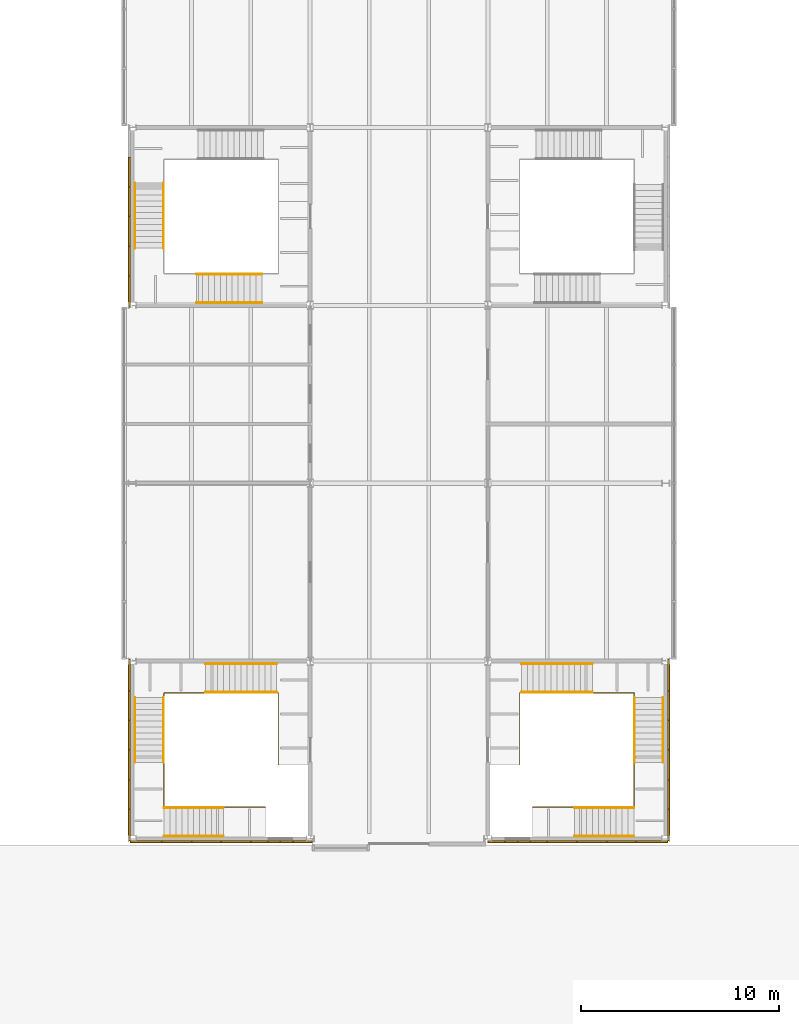
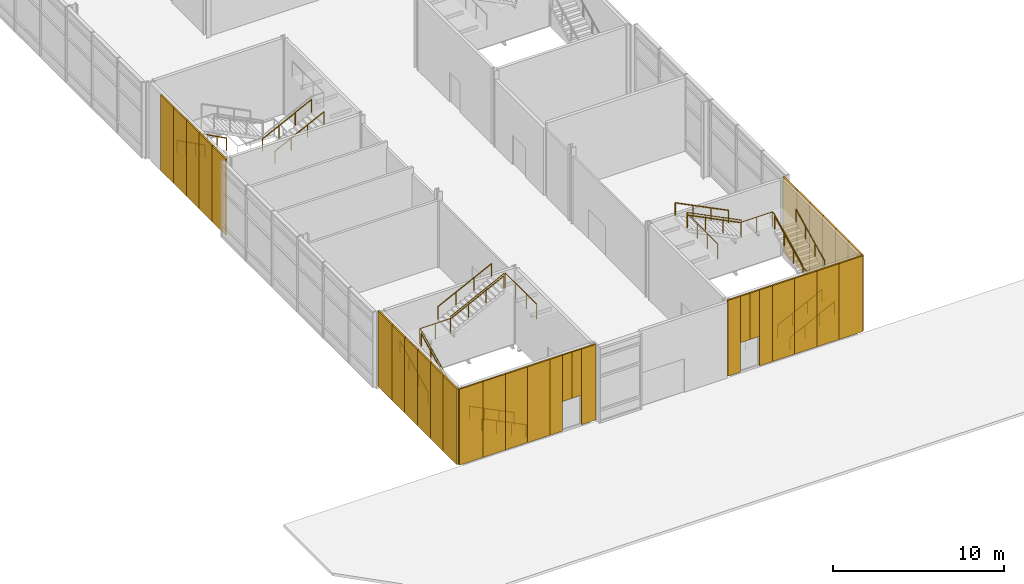
# One storey, part 48 of 56: 33 coverings, 18 railings.
"""IFC4 building model written with IfcOpenShell, lengths in metres."""

import ifcopenshell
import ifcopenshell.guid

model = None  # the IFC model being written
_history = None  # IfcOwnerHistory: only IFC2X3 demands one
_inside = {}  # id of a spatial element -> (the spatial element, [elements in it])
_under = {}  # id of a project, library or spatial element -> (it, [spatial elements below it])
_declared = {}  # id of a project -> (the project, [libraries it declares])
_typed = {}  # id of a type object -> (the type object, [elements of that type])
_made_of = {}  # id of a material, layer set ... -> (it, [elements and type objects made of it])


def new_model(schema):
    """Start an empty IFC model of exactly this schema.

    Asked for "IFC4X3", IfcOpenShell would pick the latest addendum, in which some entities
    have other attributes; the version numbers below select the first issue.
    IFC2X3 requires an IfcOwnerHistory on every rooted entity: one is made here for all.
    """
    global model, _history
    if schema == "IFC4X3":
        model = ifcopenshell.file(schema_version=(4, 3, 0, 0))
    else:
        model = ifcopenshell.file(schema=schema)
    _inside.clear()
    _under.clear()
    _declared.clear()
    _typed.clear()
    _made_of.clear()
    _history = None
    if model.schema == "IFC2X3":
        org = make("IfcOrganization", Name="unknown")
        user = make(
            "IfcPersonAndOrganization",
            ThePerson=make("IfcPerson", FamilyName="unknown"),
            TheOrganization=org,
        )
        app = make(
            "IfcApplication",
            ApplicationDeveloper=org,
            Version="unknown",
            ApplicationFullName="unknown",
            ApplicationIdentifier="unknown",
        )
        _history = make(
            "IfcOwnerHistory",
            OwningUser=user,
            OwningApplication=app,
            ChangeAction="ADDED",
            CreationDate=0,
        )
    return model


def make(cls, **values):
    """One entity of the class cls with the attributes given. An attribute that is None is left unset."""
    return model.create_entity(
        cls, **{name: value for name, value in values.items() if value is not None}
    )


def rooted(cls, **values):
    """An entity with a GlobalId (a new one), such as an element, a storey or a relation."""
    return make(cls, GlobalId=ifcopenshell.guid.new(), OwnerHistory=_history, **values)


def si_unit(unit_type, name, prefix=None):
    """IfcSIUnit, for example si_unit("LENGTHUNIT", "METRE", prefix="MILLI")."""
    return make("IfcSIUnit", UnitType=unit_type, Prefix=prefix, Name=name)


def assignment(units):
    """IfcUnitAssignment: the units of a project."""
    return None if units is None else make("IfcUnitAssignment", Units=units)


def point(xyz):
    """IfcCartesianPoint."""
    return None if xyz is None else make("IfcCartesianPoint", Coordinates=xyz)


def direction(xyz):
    """IfcDirection."""
    return None if xyz is None else make("IfcDirection", DirectionRatios=xyz)


def frame(location, z_axis=None, x_axis=None):
    """IfcAxis2Placement3D, a coordinate frame: its origin and axes. An axis left out is left unset."""
    return make(
        "IfcAxis2Placement3D",
        Location=point(location),
        Axis=direction(z_axis),
        RefDirection=direction(x_axis),
    )


def frame_2d(location, x_axis=None):
    """IfcAxis2Placement2D, a coordinate frame in the plane: its origin and x axis."""
    return make(
        "IfcAxis2Placement2D", Location=point(location), RefDirection=direction(x_axis)
    )


def origin():
    """The frame at (0, 0, 0) with its axes left unset."""
    return frame((0.0, 0.0, 0.0))


def origin_2d():
    """The frame at (0, 0) in the plane with its x axis left unset."""
    return frame_2d((0.0, 0.0))


def place(relative_to, where):
    """IfcLocalPlacement: puts the frame where relative to a parent placement (None: the world)."""
    return make(
        "IfcLocalPlacement", PlacementRelTo=relative_to, RelativePlacement=where
    )


def context(
    kind, dimensions, precision=None, world=None, true_north=None, identifier=None
):
    """IfcGeometricRepresentationContext, for example the 3D "Model" context."""
    return make(
        "IfcGeometricRepresentationContext",
        ContextIdentifier=identifier,
        ContextType=kind,
        CoordinateSpaceDimension=dimensions,
        Precision=precision,
        WorldCoordinateSystem=world,
        TrueNorth=true_north,
    )


def subcontext(parent, identifier, kind, view, scale=None):
    """IfcGeometricRepresentationSubContext, for example "Body" below "Model"."""
    return make(
        "IfcGeometricRepresentationSubContext",
        ContextIdentifier=identifier,
        ContextType=kind,
        ParentContext=parent,
        TargetScale=scale,
        TargetView=view,
    )


def project(units=None, contexts=None):
    """IfcProject with its units and contexts."""
    return rooted(
        "IfcProject",
        Name="project",
        RepresentationContexts=contexts,
        UnitsInContext=assignment(units),
    )


def spatial(cls, under=None, at=None, **own):
    """A site, building, storey or space (cls), placed at a placement, below another one or the project."""
    s = rooted(cls, ObjectPlacement=at, **own)
    if under is not None:
        _under.setdefault(under.id(), (under, []))[1].append(s)
    return s


def profile(cls, at=None, kind="AREA", **sizes):
    """A parametric profile (cls). Its sizes go by their IFC names, for example OverallWidth=200.0."""
    return make(cls, ProfileType=kind, Position=at, **sizes)


def rectangle(**sizes):
    """IfcRectangleProfileDef."""
    return profile("IfcRectangleProfileDef", **sizes)


def circle(**sizes):
    """IfcCircleProfileDef."""
    return profile("IfcCircleProfileDef", **sizes)


def extrude(swept, where, along, depth):
    """IfcExtrudedAreaSolid: the profile swept, set in the frame where, extruded along a direction by depth."""
    return make(
        "IfcExtrudedAreaSolid",
        SweptArea=swept,
        Position=where,
        ExtrudedDirection=direction(along),
        Depth=depth,
    )


def shape(context_of_items, identifier, shape_type, items):
    """IfcShapeRepresentation: the items that make up one representation, for example the "Body"."""
    return make(
        "IfcShapeRepresentation",
        ContextOfItems=context_of_items,
        RepresentationIdentifier=identifier,
        RepresentationType=shape_type,
        Items=items,
    )


def material(Name=None, Category=None):
    """IfcMaterial."""
    return make("IfcMaterial", Name=Name, Category=Category)


def layer(
    of_material, thickness, ventilated=None, Name=None, Category=None, Priority=None
):
    """IfcMaterialLayer: one layer of a wall or slab, of a material (None: an air gap)."""
    return make(
        "IfcMaterialLayer",
        Material=of_material,
        LayerThickness=thickness,
        IsVentilated=ventilated,
        Name=Name,
        Category=Category,
        Priority=Priority,
    )


def layer_set(layers, Name=None):
    """IfcMaterialLayerSet."""
    return make("IfcMaterialLayerSet", MaterialLayers=layers, LayerSetName=Name)


def made_of(thing, what):
    """Note that an element or type object is made of a material, layer set ...; save() writes the relation."""
    if what is not None:
        _made_of.setdefault(what.id(), (what, []))[1].append(thing)
    return thing


def type_object(cls, material=None, **own):
    """A type object (cls), such as IfcWallType, which elements share."""
    return made_of(rooted(cls, **own), material)


def element(
    cls,
    number,
    at=None,
    inside=None,
    cuts=None,
    type_object=None,
    material=None,
    context=None,
    identifier="Body",
    shape_type=None,
    held_by="IfcProductDefinitionShape",
    body=None,
    shapes=None,
    **own,
):
    """One element of the class cls, such as IfcWall. Its Tag is "e" and its number.

    at: its placement. inside: the storey or other place that contains it. cuts: it is an
    opening in that element (IfcRelVoidsElement). A single representation is given by context,
    identifier, shape_type and body (its items); several are given by shapes. held_by: the class
    of the entity that holds the representations. save() writes the other relations.
    """
    e = rooted(cls, Tag="e%d" % number, ObjectPlacement=at, **own)
    if body is not None:
        shapes = [shape(context, identifier, shape_type, body)]
    if shapes is not None:
        e.Representation = make(held_by, Representations=shapes)
    if inside is not None:
        _inside.setdefault(inside.id(), (inside, []))[1].append(e)
    if cuts is not None:
        rooted(
            "IfcRelVoidsElement", RelatingBuildingElement=cuts, RelatedOpeningElement=e
        )
    if type_object is not None:
        _typed.setdefault(type_object.id(), (type_object, []))[1].append(e)
    return made_of(e, material)


def aggregate(whole, parts):
    """IfcRelAggregates: a whole, such as a stair, and the parts it consists of."""
    return rooted("IfcRelAggregates", RelatingObject=whole, RelatedObjects=parts)


def save(model, path):
    """Write the relations noted so far, then the file.

    IfcRelAggregates (storeys below a building ...), IfcRelContainedInSpatialStructure (elements
    in a storey), IfcRelDefinesByType, IfcRelAssociatesMaterial and IfcRelDeclares: one each for
    every whole, place, type object, material and project.
    """
    for whole, parts in _under.values():
        aggregate(whole, parts)
    for where, things in _inside.values():
        rooted(
            "IfcRelContainedInSpatialStructure",
            RelatedElements=things,
            RelatingStructure=where,
        )
    for kind, things in _typed.values():
        rooted("IfcRelDefinesByType", RelatedObjects=things, RelatingType=kind)
    for what, things in _made_of.values():
        rooted("IfcRelAssociatesMaterial", RelatedObjects=things, RelatingMaterial=what)
    for by, libraries in _declared.values():
        rooted("IfcRelDeclares", RelatingContext=by, RelatedDefinitions=libraries)
    model.write(path)


model = new_model("IFC4")

# Units and contexts
model_context = context("Model", 3, precision=1e-05, world=origin(), true_north=direction((0.0, 1.0)))
body_context = subcontext(model_context, "Body", "Model", "MODEL_VIEW")
ifc_project = project(units=[si_unit("LENGTHUNIT", "METRE"), si_unit("AREAUNIT", "SQUARE_METRE"), si_unit("VOLUMEUNIT", "CUBIC_METRE"), si_unit("PLANEANGLEUNIT", "RADIAN"), si_unit("MASSUNIT", "GRAM", prefix="KILO")], contexts=[model_context])

# Site, building, storey
site_placement = place(None, origin())
site = spatial("IfcSite", under=ifc_project, at=site_placement, CompositionType="ELEMENT")
building_placement = place(site_placement, origin())
building = spatial("IfcBuilding", under=site, at=building_placement, Name="Azimuth Sports and Learning Centre", CompositionType="ELEMENT")
storey_placement = place(building_placement, frame((0.0, 0.0, 5.39990234375)))
storey = spatial("IfcBuildingStorey", under=building, at=storey_placement, Name="L01", CompositionType="ELEMENT", Elevation=5.39990234375)

# Coverings
ifc_material_1 = material(Name="Cladding panel")
ifc_layer = layer(ifc_material_1, 0.10009765625)
ifc_layer_set = layer_set([ifc_layer], Name="Cladding panel")
covering_type = type_object("IfcCoveringType", Name="Cladding panel 100", PredefinedType="CLADDING", material=ifc_layer_set)
for number, where, z_axis, x_axis, name in (
    (1, (71.85009765625, 33.75, 0.000244140625), (0.0, 0.0, 1.0), (0.0, -1.0, 0.0), "Cladding panel W-ST3 L01 2"),
    (2, (71.85009765625, 32.25, 0.000244140625), (0.0, 0.0, 1.0), (0.0, -1.0, 0.0), "Cladding panel W-ST3 L01 3"),
    (3, (71.85009765625, 30.75, 0.000244140625), (0.0, 0.0, 1.0), (0.0, -1.0, 0.0), "Cladding panel W-ST3 L01 4"),
    (4, (71.85009765625, 29.25, 0.000244140625), (0.0, 0.0, 1.0), (0.0, -1.0, 0.0), "Cladding panel W-ST3 L01 5"),
):
    element("IfcCovering", number, at=place(storey_placement, frame(where, z_axis=z_axis, x_axis=x_axis)), inside=storey, type_object=covering_type, Name=name, PredefinedType="CLADDING", context=body_context, shape_type="SweptSolid", body=[
        extrude(rectangle(XDim=1.5, YDim=0.10009765625, at=origin_2d()), origin(), (0.0, 0.0, 1.0), 5.39990234375),
    ])
for number, where, z_axis, x_axis, name in (
    (5, (71.85009765625, 27.699951171875, 0.000244140625), (0.0, 0.0, 1.0), (0.0, -1.0, 0.0), "Cladding panel W-ST3 L01 6"),
    (6, (71.85009765625, 8.300048828125, 0.000244140625), (0.0, 0.0, 1.0), (0.0, -1.0, 0.0), "Cladding panel W-ST1 L01 1"),
):
    element("IfcCovering", number, at=place(storey_placement, frame(where, z_axis=z_axis, x_axis=x_axis)), inside=storey, type_object=covering_type, Name=name, PredefinedType="CLADDING", context=body_context, shape_type="SweptSolid", body=[
        extrude(rectangle(XDim=1.60009765625, YDim=0.10009765625, at=origin_2d()), origin(), (0.0, 0.0, 1.0), 5.39990234375),
    ])
for number, where, z_axis, x_axis, name in (
    (7, (71.85009765625, 6.75, 0.000244140625), (0.0, 0.0, 1.0), (0.0, -1.0, 0.0), "Cladding panel W-ST1 L01 2"),
    (8, (71.85009765625, 5.25, 0.000244140625), (0.0, 0.0, 1.0), (0.0, -1.0, 0.0), "Cladding panel W-ST1 L01 3"),
    (9, (71.85009765625, 3.75, 0.000244140625), (0.0, 0.0, 1.0), (0.0, -1.0, 0.0), "Cladding panel W-ST1 L01 4"),
    (10, (71.85009765625, 2.25, 0.000244140625), (0.0, 0.0, 1.0), (0.0, -1.0, 0.0), "Cladding panel W-ST1 L01 5"),
):
    element("IfcCovering", number, at=place(storey_placement, frame(where, z_axis=z_axis, x_axis=x_axis)), inside=storey, type_object=covering_type, Name=name, PredefinedType="CLADDING", context=body_context, shape_type="SweptSolid", body=[
        extrude(rectangle(XDim=1.5, YDim=0.10009765625, at=origin_2d()), origin(), (0.0, 0.0, 1.0), 5.39990234375),
    ])
for number, where, z_axis, x_axis, name in (
    (11, (71.85009765625, 0.699951171875, 0.000244140625), (0.0, 0.0, 1.0), (0.0, -1.0, 0.0), "Cladding panel W-ST1 L01 6"),
    (12, (72.699951171875, -0.14990234375, 0.000244140625), (0.0, 0.0, 1.0), (1.0, 0.0, 0.0), "Cladding panel S-ST1 L01 1"),
):
    element("IfcCovering", number, at=place(storey_placement, frame(where, z_axis=z_axis, x_axis=x_axis)), inside=storey, type_object=covering_type, Name=name, PredefinedType="CLADDING", context=body_context, shape_type="SweptSolid", body=[
        extrude(rectangle(XDim=1.60009765625, YDim=0.10009765625, at=origin_2d()), origin(), (0.0, 0.0, 1.0), 5.39990234375),
    ])
for number, where, z_axis, x_axis, name in (
    (13, (74.25, -0.14990234375, 0.000244140625), (0.0, 0.0, 1.0), (1.0, 0.0, 0.0), "Cladding panel S-ST1 L01 2"),
    (14, (75.75, -0.14990234375, 0.000244140625), (0.0, 0.0, 1.0), (1.0, 0.0, 0.0), "Cladding panel S-ST1 L01 3"),
    (15, (77.25, -0.14990234375, 0.000244140625), (0.0, 0.0, 1.0), (1.0, 0.0, 0.0), "Cladding panel S-ST1 L01 4"),
):
    element("IfcCovering", number, at=place(storey_placement, frame(where, z_axis=z_axis, x_axis=x_axis)), inside=storey, type_object=covering_type, Name=name, PredefinedType="CLADDING", context=body_context, shape_type="SweptSolid", body=[
        extrude(rectangle(XDim=1.5, YDim=0.10009765625, at=origin_2d()), origin(), (0.0, 0.0, 1.0), 5.39990234375),
    ])
covering_1_placement = place(storey_placement, frame((79.175048828125, -0.14990234375, 2.10009765625), z_axis=(0.0, 0.0, 1.0), x_axis=(1.0, 0.0, 0.0)))
element("IfcCovering", 16, at=covering_1_placement, inside=storey, type_object=covering_type, Name="Cladding panel S-ST1 L01 5", PredefinedType="CLADDING", context=body_context, shape_type="SweptSolid", body=[
    extrude(rectangle(XDim=0.64990234375, YDim=0.10009765625, at=origin_2d()), origin(), (0.0, 0.0, 1.0), 3.300048828125),
])
covering_2_placement = place(storey_placement, frame((78.425048828125, -0.14990234375, 0.000244140625), z_axis=(0.0, 0.0, 1.0), x_axis=(1.0, 0.0, 0.0)))
element("IfcCovering", 17, at=covering_2_placement, inside=storey, type_object=covering_type, Name="Cladding panel S-ST1 L01 6", PredefinedType="CLADDING", context=body_context, shape_type="SweptSolid", body=[
    extrude(rectangle(XDim=0.85009765625, YDim=0.10009765625, at=origin_2d()), origin(), (0.0, 0.0, 1.0), 5.39990234375),
])
covering_3_placement = place(storey_placement, frame((79.824951171875, -0.14990234375, 2.10009765625), z_axis=(0.0, 0.0, 1.0), x_axis=(1.0, 0.0, 0.0)))
element("IfcCovering", 18, at=covering_3_placement, inside=storey, type_object=covering_type, Name="Cladding panel S-ST1 L01 7", PredefinedType="CLADDING", context=body_context, shape_type="SweptSolid", body=[
    extrude(rectangle(XDim=0.64990234375, YDim=0.10009765625, at=origin_2d()), origin(), (0.0, 0.0, 1.0), 3.300048828125),
])
covering_4_placement = place(storey_placement, frame((80.625, -0.14990234375, 0.000244140625), z_axis=(0.0, 0.0, 1.0), x_axis=(1.0, 0.0, 0.0)))
element("IfcCovering", 19, at=covering_4_placement, inside=storey, type_object=covering_type, Name="Cladding panel S-ST1 L01 8", PredefinedType="CLADDING", context=body_context, shape_type="SweptSolid", body=[
    extrude(rectangle(XDim=0.949951171875, YDim=0.10009765625, at=origin_2d()), origin(), (0.0, 0.0, 1.0), 5.39990234375),
])
covering_5_placement = place(storey_placement, frame((91.175048828125, -0.14990234375, 2.10009765625), z_axis=(0.0, 0.0, 1.0), x_axis=(1.0, 0.0, 0.0)))
element("IfcCovering", 20, at=covering_5_placement, inside=storey, type_object=covering_type, Name="Cladding panel S-ST2 L01 1", PredefinedType="CLADDING", context=body_context, shape_type="SweptSolid", body=[
    extrude(rectangle(XDim=0.64990234375, YDim=0.10009765625, at=origin_2d()), origin(), (0.0, 0.0, 1.0), 3.300048828125),
])
covering_6_placement = place(storey_placement, frame((90.425048828125, -0.14990234375, 0.000244140625), z_axis=(0.0, 0.0, 1.0), x_axis=(1.0, 0.0, 0.0)))
element("IfcCovering", 21, at=covering_6_placement, inside=storey, type_object=covering_type, Name="Cladding panel S-ST2 L01 2", PredefinedType="CLADDING", context=body_context, shape_type="SweptSolid", body=[
    extrude(rectangle(XDim=0.85009765625, YDim=0.10009765625, at=origin_2d()), origin(), (0.0, 0.0, 1.0), 5.39990234375),
])
covering_7_placement = place(storey_placement, frame((91.824951171875, -0.14990234375, 2.10009765625), z_axis=(0.0, 0.0, 1.0), x_axis=(1.0, 0.0, 0.0)))
element("IfcCovering", 22, at=covering_7_placement, inside=storey, type_object=covering_type, Name="Cladding panel S-ST2 L01 3", PredefinedType="CLADDING", context=body_context, shape_type="SweptSolid", body=[
    extrude(rectangle(XDim=0.64990234375, YDim=0.10009765625, at=origin_2d()), origin(), (0.0, 0.0, 1.0), 3.300048828125),
])
covering_8_placement = place(storey_placement, frame((92.574951171875, -0.14990234375, 0.000244140625), z_axis=(0.0, 0.0, 1.0), x_axis=(1.0, 0.0, 0.0)))
element("IfcCovering", 23, at=covering_8_placement, inside=storey, type_object=covering_type, Name="Cladding panel S-ST2 L01 4", PredefinedType="CLADDING", context=body_context, shape_type="SweptSolid", body=[
    extrude(rectangle(XDim=0.85009765625, YDim=0.10009765625, at=origin_2d()), origin(), (0.0, 0.0, 1.0), 5.39990234375),
])
for number, where, z_axis, x_axis, name in (
    (24, (93.75, -0.14990234375, 0.000244140625), (0.0, 0.0, 1.0), (1.0, 0.0, 0.0), "Cladding panel S-ST2 L01 5"),
    (25, (95.25, -0.14990234375, 0.000244140625), (0.0, 0.0, 1.0), (1.0, 0.0, 0.0), "Cladding panel S-ST2 L01 6"),
    (26, (96.75, -0.14990234375, 0.000244140625), (0.0, 0.0, 1.0), (1.0, 0.0, 0.0), "Cladding panel S-ST2 L01 7"),
):
    element("IfcCovering", number, at=place(storey_placement, frame(where, z_axis=z_axis, x_axis=x_axis)), inside=storey, type_object=covering_type, Name=name, PredefinedType="CLADDING", context=body_context, shape_type="SweptSolid", body=[
        extrude(rectangle(XDim=1.5, YDim=0.10009765625, at=origin_2d()), origin(), (0.0, 0.0, 1.0), 5.39990234375),
    ])
for number, where, z_axis, x_axis, name in (
    (27, (98.300048828125, -0.14990234375, 0.000244140625), (0.0, 0.0, 1.0), (1.0, 0.0, 0.0), "Cladding panel S-ST2 L01 8"),
    (28, (99.14990234375, 0.699951171875, 0.000244140625), (0.0, 0.0, 1.0), (0.0, 1.0, 0.0), "Cladding panel E-ST2 L01 1"),
):
    element("IfcCovering", number, at=place(storey_placement, frame(where, z_axis=z_axis, x_axis=x_axis)), inside=storey, type_object=covering_type, Name=name, PredefinedType="CLADDING", context=body_context, shape_type="SweptSolid", body=[
        extrude(rectangle(XDim=1.60009765625, YDim=0.10009765625, at=origin_2d()), origin(), (0.0, 0.0, 1.0), 5.39990234375),
    ])
for number, where, z_axis, x_axis, name in (
    (29, (99.14990234375, 2.25, 0.000244140625), (0.0, 0.0, 1.0), (0.0, 1.0, 0.0), "Cladding panel E-ST2 L01 2"),
    (30, (99.14990234375, 3.75, 0.000244140625), (0.0, 0.0, 1.0), (0.0, 1.0, 0.0), "Cladding panel E-ST2 L01 3"),
    (31, (99.14990234375, 5.25, 0.000244140625), (0.0, 0.0, 1.0), (0.0, 1.0, 0.0), "Cladding panel E-ST2 L01 4"),
    (32, (99.14990234375, 6.75, 0.000244140625), (0.0, 0.0, 1.0), (0.0, 1.0, 0.0), "Cladding panel E-ST2 L01 5"),
):
    element("IfcCovering", number, at=place(storey_placement, frame(where, z_axis=z_axis, x_axis=x_axis)), inside=storey, type_object=covering_type, Name=name, PredefinedType="CLADDING", context=body_context, shape_type="SweptSolid", body=[
        extrude(rectangle(XDim=1.5, YDim=0.10009765625, at=origin_2d()), origin(), (0.0, 0.0, 1.0), 5.39990234375),
    ])
covering_9_placement = place(storey_placement, frame((99.14990234375, 8.300048828125, 0.000244140625), z_axis=(0.0, 0.0, 1.0), x_axis=(0.0, 1.0, 0.0)))
element("IfcCovering", 33, at=covering_9_placement, inside=storey, type_object=covering_type, Name="Cladding panel E-ST2 L01 6", PredefinedType="CLADDING", context=body_context, shape_type="SweptSolid", body=[
    extrude(rectangle(XDim=1.60009765625, YDim=0.10009765625, at=origin_2d()), origin(), (0.0, 0.0, 1.0), 5.39990234375),
])

# Railings
ifc_material_2 = material(Name="Stainless steel", Category="steel")
railing_type_1 = type_object("IfcRailingType", Name="Stair guard 1100", PredefinedType="GUARDRAIL", material=ifc_material_2)
railing_1_placement = place(storey_placement, frame((78.75, 1.610107421875, 0.0)))
element("IfcRailing", 34, at=railing_1_placement, inside=storey, type_object=railing_type_1, Name="Guard ST1 L01 well", PredefinedType="GUARDRAIL", context=body_context, shape_type="SweptSolid", body=[
    extrude(circle(Radius=0.02392578125, at=origin_2d()), frame((0.0, 0.0, 1.076171875), z_axis=(-1.0, 0.0, 0.0), x_axis=(0.0, -1.0, 0.0)), (0.0, 0.0, 1.0), 2.139892578125),
    extrude(circle(Radius=0.02392578125, at=origin_2d()), frame((-2.139892578125, 0.0, 1.076171875), z_axis=(0.0, 0.0, 1.0), x_axis=(1.0, 0.0, 0.0)), (0.0, 0.0, 1.0), 0.150146484375),
    extrude(circle(Radius=0.02392578125, at=origin_2d()), frame((-2.139892578125, 0.0, 1.22607421875), z_axis=(-0.894427191, 0.0, 0.4472135955), x_axis=(0.0, -1.0, 0.0)), (0.0, 0.0, 1.0), 3.35400390625),
    extrude(circle(Radius=0.02392578125, at=origin_2d()), frame((-5.139892578125, 0.0, 2.72607421875), z_axis=(0.0, 1.0, 0.0), x_axis=(-1.0, 0.0, 0.0)), (0.0, 0.0, 1.0), 2.25),
    extrude(circle(Radius=0.02392578125, at=origin_2d()), frame((-5.139892578125, 2.25, 2.72607421875), z_axis=(0.0, 0.0, 1.0), x_axis=(1.0, 0.0, 0.0)), (0.0, 0.0, 1.0), 0.14990234375),
    extrude(circle(Radius=0.02392578125, at=origin_2d()), frame((-5.139892578125, 2.25, 2.8759765625), z_axis=(0.0, 0.894400720042, 0.447266533499), x_axis=(-1.0, 0.0, 0.0)), (0.0, 0.0, 1.0), 3.689453125),
    extrude(circle(Radius=0.02392578125, at=origin_2d()), frame((-5.139892578125, 5.5498046875, 4.5263671875), z_axis=(0.0, 1.0, 0.0), x_axis=(-1.0, 0.0, 0.0)), (0.0, 0.0, 1.0), 0.22998046875),
    extrude(circle(Radius=0.02392578125, at=origin_2d()), frame((-5.139892578125, 5.77978515625, 4.5263671875), z_axis=(1.0, 0.0, 0.0), x_axis=(0.0, 1.0, 0.0)), (0.0, 0.0, 1.0), 2.099853515625),
    extrude(circle(Radius=0.02392578125, at=origin_2d()), frame((-3.0400390625, 5.77978515625, 4.5263671875), z_axis=(0.0, 0.0, 1.0), x_axis=(1.0, 0.0, 0.0)), (0.0, 0.0, 1.0), 0.14990234375),
    extrude(circle(Radius=0.02392578125, at=origin_2d()), frame((-3.0400390625, 5.77978515625, 4.67626953125), z_axis=(0.894427191, 0.0, 0.4472135955), x_axis=(0.0, 1.0, 0.0)), (0.0, 0.0, 1.0), 4.025146484375),
    extrude(circle(Radius=0.02392578125, at=origin_2d()), frame((0.56005859375, 5.77978515625, 6.47607421875), z_axis=(1.0, 0.0, 0.0), x_axis=(0.0, 1.0, 0.0)), (0.0, 0.0, 1.0), 0.079833984375),
    extrude(circle(Radius=0.02392578125, at=origin_2d()), frame((0.639892578125, 5.77978515625, 6.47607421875), z_axis=(0.0, -1.0, 0.0), x_axis=(1.0, 0.0, 0.0)), (0.0, 0.0, 1.0), 3.639892578125),
    extrude(circle(Radius=0.01611328125, at=origin_2d()), origin(), (0.0, 0.0, 1.0), 1.052001953125),
    extrude(circle(Radius=0.01611328125, at=origin_2d()), frame((-1.06982421875, 0.0, 0.0)), (0.0, 0.0, 1.0), 1.052001953125),
    extrude(circle(Radius=0.01611328125, at=origin_2d()), frame((-2.139892578125, 0.0, 0.0)), (0.0, 0.0, 1.0), 1.052001953125),
    extrude(circle(Radius=0.01611328125, at=origin_2d()), frame((-2.139892578125, 0.0, 0.150146484375)), (0.0, 0.0, 1.0), 1.052001953125),
    extrude(circle(Radius=0.01611328125, at=origin_2d()), frame((-3.139892578125, 0.0, 0.650146484375)), (0.0, 0.0, 1.0), 1.052001953125),
    extrude(circle(Radius=0.01611328125, at=origin_2d()), frame((-4.139892578125, 0.0, 1.150146484375)), (0.0, 0.0, 1.0), 1.052001953125),
    extrude(circle(Radius=0.01611328125, at=origin_2d()), frame((-5.139892578125, 0.0, 1.650146484375)), (0.0, 0.0, 1.0), 1.052001953125),
    extrude(circle(Radius=0.01611328125, at=origin_2d()), frame((-5.139892578125, 1.125, 1.650146484375)), (0.0, 0.0, 1.0), 1.052001953125),
    extrude(circle(Radius=0.01611328125, at=origin_2d()), frame((-5.139892578125, 2.25, 1.650146484375)), (0.0, 0.0, 1.0), 1.052001953125),
    extrude(circle(Radius=0.01611328125, at=origin_2d()), frame((-5.139892578125, 2.25, 1.800048828125)), (0.0, 0.0, 1.0), 1.052001953125),
    extrude(circle(Radius=0.01611328125, at=origin_2d()), frame((-5.139892578125, 3.349853515625, 2.35009765625)), (0.0, 0.0, 1.0), 1.052001953125),
    extrude(circle(Radius=0.01611328125, at=origin_2d()), frame((-5.139892578125, 4.449951171875, 2.900146484375)), (0.0, 0.0, 1.0), 1.052001953125),
    extrude(circle(Radius=0.01611328125, at=origin_2d()), frame((-5.139892578125, 5.5498046875, 3.4501953125)), (0.0, 0.0, 1.0), 1.052001953125),
    extrude(circle(Radius=0.01611328125, at=origin_2d()), frame((-5.139892578125, 5.77978515625, 3.4501953125)), (0.0, 0.0, 1.0), 1.052001953125),
    extrude(circle(Radius=0.01611328125, at=origin_2d()), frame((-4.08984375, 5.77978515625, 3.4501953125)), (0.0, 0.0, 1.0), 1.052001953125),
    extrude(circle(Radius=0.01611328125, at=origin_2d()), frame((-3.0400390625, 5.77978515625, 3.4501953125)), (0.0, 0.0, 1.0), 1.052001953125),
    extrude(circle(Radius=0.01611328125, at=origin_2d()), frame((-3.0400390625, 5.77978515625, 3.60009765625)), (0.0, 0.0, 1.0), 1.052001953125),
    extrude(circle(Radius=0.01611328125, at=origin_2d()), frame((-1.840087890625, 5.77978515625, 4.2001953125)), (0.0, 0.0, 1.0), 1.052001953125),
    extrude(circle(Radius=0.01611328125, at=origin_2d()), frame((-0.639892578125, 5.77978515625, 4.800048828125)), (0.0, 0.0, 1.0), 1.052001953125),
    extrude(circle(Radius=0.01611328125, at=origin_2d()), frame((0.56005859375, 5.77978515625, 5.400146484375)), (0.0, 0.0, 1.0), 1.052001953125),
    extrude(circle(Radius=0.01611328125, at=origin_2d()), frame((0.639892578125, 5.77978515625, 5.400146484375)), (0.0, 0.0, 1.0), 1.052001953125),
    extrude(circle(Radius=0.01611328125, at=origin_2d()), frame((0.639892578125, 4.56640625, 5.400146484375)), (0.0, 0.0, 1.0), 1.052001953125),
    extrude(circle(Radius=0.01611328125, at=origin_2d()), frame((0.639892578125, 3.353271484375, 5.400146484375)), (0.0, 0.0, 1.0), 1.052001953125),
    extrude(circle(Radius=0.01611328125, at=origin_2d()), frame((0.639892578125, 2.139892578125, 5.400146484375)), (0.0, 0.0, 1.0), 1.052001953125),
])
railing_2_placement = place(storey_placement, frame((92.25, 1.610107421875, 0.0)))
element("IfcRailing", 35, at=railing_2_placement, inside=storey, type_object=railing_type_1, Name="Guard ST2 L01 well", PredefinedType="GUARDRAIL", context=body_context, shape_type="SweptSolid", body=[
    extrude(circle(Radius=0.02392578125, at=origin_2d()), frame((0.0, 0.0, 1.076171875), z_axis=(1.0, 0.0, 0.0), x_axis=(0.0, 1.0, 0.0)), (0.0, 0.0, 1.0), 2.139892578125),
    extrude(circle(Radius=0.02392578125, at=origin_2d()), frame((2.139892578125, 0.0, 1.076171875), z_axis=(0.0, 0.0, 1.0), x_axis=(1.0, 0.0, 0.0)), (0.0, 0.0, 1.0), 0.150146484375),
    extrude(circle(Radius=0.02392578125, at=origin_2d()), frame((2.139892578125, 0.0, 1.22607421875), z_axis=(0.894427191, 0.0, 0.4472135955), x_axis=(0.0, 1.0, 0.0)), (0.0, 0.0, 1.0), 3.35400390625),
    extrude(circle(Radius=0.02392578125, at=origin_2d()), frame((5.139892578125, 0.0, 2.72607421875), z_axis=(0.0, 1.0, 0.0), x_axis=(-1.0, 0.0, 0.0)), (0.0, 0.0, 1.0), 2.25),
    extrude(circle(Radius=0.02392578125, at=origin_2d()), frame((5.139892578125, 2.25, 2.72607421875), z_axis=(0.0, 0.0, 1.0), x_axis=(1.0, 0.0, 0.0)), (0.0, 0.0, 1.0), 0.14990234375),
    extrude(circle(Radius=0.02392578125, at=origin_2d()), frame((5.139892578125, 2.25, 2.8759765625), z_axis=(0.0, 0.894400720042, 0.447266533499), x_axis=(-1.0, 0.0, 0.0)), (0.0, 0.0, 1.0), 3.689453125),
    extrude(circle(Radius=0.02392578125, at=origin_2d()), frame((5.139892578125, 5.5498046875, 4.5263671875), z_axis=(0.0, 1.0, 0.0), x_axis=(-1.0, 0.0, 0.0)), (0.0, 0.0, 1.0), 0.22998046875),
    extrude(circle(Radius=0.02392578125, at=origin_2d()), frame((5.139892578125, 5.77978515625, 4.5263671875), z_axis=(-1.0, 0.0, 0.0), x_axis=(0.0, -1.0, 0.0)), (0.0, 0.0, 1.0), 2.099853515625),
    extrude(circle(Radius=0.02392578125, at=origin_2d()), frame((3.0400390625, 5.77978515625, 4.5263671875), z_axis=(0.0, 0.0, 1.0), x_axis=(1.0, 0.0, 0.0)), (0.0, 0.0, 1.0), 0.14990234375),
    extrude(circle(Radius=0.02392578125, at=origin_2d()), frame((3.0400390625, 5.77978515625, 4.67626953125), z_axis=(-0.894427191, 0.0, 0.4472135955), x_axis=(0.0, -1.0, 0.0)), (0.0, 0.0, 1.0), 4.025146484375),
    extrude(circle(Radius=0.02392578125, at=origin_2d()), frame((-0.56005859375, 5.77978515625, 6.47607421875), z_axis=(-1.0, 0.0, 0.0), x_axis=(0.0, -1.0, 0.0)), (0.0, 0.0, 1.0), 0.079833984375),
    extrude(circle(Radius=0.02392578125, at=origin_2d()), frame((-0.639892578125, 5.77978515625, 6.47607421875), z_axis=(0.0, -1.0, 0.0), x_axis=(1.0, 0.0, 0.0)), (0.0, 0.0, 1.0), 3.639892578125),
    extrude(circle(Radius=0.01611328125, at=origin_2d()), origin(), (0.0, 0.0, 1.0), 1.052001953125),
    extrude(circle(Radius=0.01611328125, at=origin_2d()), frame((1.06982421875, 0.0, 0.0)), (0.0, 0.0, 1.0), 1.052001953125),
    extrude(circle(Radius=0.01611328125, at=origin_2d()), frame((2.139892578125, 0.0, 0.0)), (0.0, 0.0, 1.0), 1.052001953125),
    extrude(circle(Radius=0.01611328125, at=origin_2d()), frame((2.139892578125, 0.0, 0.150146484375)), (0.0, 0.0, 1.0), 1.052001953125),
    extrude(circle(Radius=0.01611328125, at=origin_2d()), frame((3.139892578125, 0.0, 0.650146484375)), (0.0, 0.0, 1.0), 1.052001953125),
    extrude(circle(Radius=0.01611328125, at=origin_2d()), frame((4.139892578125, 0.0, 1.150146484375)), (0.0, 0.0, 1.0), 1.052001953125),
    extrude(circle(Radius=0.01611328125, at=origin_2d()), frame((5.139892578125, 0.0, 1.650146484375)), (0.0, 0.0, 1.0), 1.052001953125),
    extrude(circle(Radius=0.01611328125, at=origin_2d()), frame((5.139892578125, 1.125, 1.650146484375)), (0.0, 0.0, 1.0), 1.052001953125),
    extrude(circle(Radius=0.01611328125, at=origin_2d()), frame((5.139892578125, 2.25, 1.650146484375)), (0.0, 0.0, 1.0), 1.052001953125),
    extrude(circle(Radius=0.01611328125, at=origin_2d()), frame((5.139892578125, 2.25, 1.800048828125)), (0.0, 0.0, 1.0), 1.052001953125),
    extrude(circle(Radius=0.01611328125, at=origin_2d()), frame((5.139892578125, 3.349853515625, 2.35009765625)), (0.0, 0.0, 1.0), 1.052001953125),
    extrude(circle(Radius=0.01611328125, at=origin_2d()), frame((5.139892578125, 4.449951171875, 2.900146484375)), (0.0, 0.0, 1.0), 1.052001953125),
    extrude(circle(Radius=0.01611328125, at=origin_2d()), frame((5.139892578125, 5.5498046875, 3.4501953125)), (0.0, 0.0, 1.0), 1.052001953125),
    extrude(circle(Radius=0.01611328125, at=origin_2d()), frame((5.139892578125, 5.77978515625, 3.4501953125)), (0.0, 0.0, 1.0), 1.052001953125),
    extrude(circle(Radius=0.01611328125, at=origin_2d()), frame((4.08984375, 5.77978515625, 3.4501953125)), (0.0, 0.0, 1.0), 1.052001953125),
    extrude(circle(Radius=0.01611328125, at=origin_2d()), frame((3.0400390625, 5.77978515625, 3.4501953125)), (0.0, 0.0, 1.0), 1.052001953125),
    extrude(circle(Radius=0.01611328125, at=origin_2d()), frame((3.0400390625, 5.77978515625, 3.60009765625)), (0.0, 0.0, 1.0), 1.052001953125),
    extrude(circle(Radius=0.01611328125, at=origin_2d()), frame((1.840087890625, 5.77978515625, 4.2001953125)), (0.0, 0.0, 1.0), 1.052001953125),
    extrude(circle(Radius=0.01611328125, at=origin_2d()), frame((0.639892578125, 5.77978515625, 4.800048828125)), (0.0, 0.0, 1.0), 1.052001953125),
    extrude(circle(Radius=0.01611328125, at=origin_2d()), frame((-0.56005859375, 5.77978515625, 5.400146484375)), (0.0, 0.0, 1.0), 1.052001953125),
    extrude(circle(Radius=0.01611328125, at=origin_2d()), frame((-0.639892578125, 5.77978515625, 5.400146484375)), (0.0, 0.0, 1.0), 1.052001953125),
    extrude(circle(Radius=0.01611328125, at=origin_2d()), frame((-0.639892578125, 4.56640625, 5.400146484375)), (0.0, 0.0, 1.0), 1.052001953125),
    extrude(circle(Radius=0.01611328125, at=origin_2d()), frame((-0.639892578125, 3.353271484375, 5.400146484375)), (0.0, 0.0, 1.0), 1.052001953125),
    extrude(circle(Radius=0.01611328125, at=origin_2d()), frame((-0.639892578125, 2.139892578125, 5.400146484375)), (0.0, 0.0, 1.0), 1.052001953125),
])
ifc_material_3 = material(Name="Stainless steel", Category="steel")
railing_type_2 = type_object("IfcRailingType", Name="Stair handrail 42", PredefinedType="HANDRAIL", material=ifc_material_3)
for number, where, name in (
    (36, (76.610107421875, 1.580078125, 0.150146484375), "Handrail ST1 L01 flight 1 inner"),
    (37, (76.610107421875, 0.139892578125, 0.150146484375), "Handrail ST1 L01 flight 1 outer"),
):
    element("IfcRailing", number, at=place(storey_placement, frame(where)), inside=storey, type_object=railing_type_2, Name=name, PredefinedType="HANDRAIL", context=body_context, shape_type="SweptSolid", body=[
        extrude(circle(Radius=0.02099609375, at=origin_2d()), frame((0.0, 0.0, 0.87890625), z_axis=(-0.894427191, 0.0, 0.4472135955), x_axis=(0.0, -1.0, 0.0)), (0.0, 0.0, 1.0), 3.35400390625),
        extrude(circle(Radius=0.01611328125, at=origin_2d()), origin(), (0.0, 0.0, 1.0), 0.85791015625),
        extrude(circle(Radius=0.01611328125, at=origin_2d()), frame((-1.0, 0.0, 0.5)), (0.0, 0.0, 1.0), 0.85791015625),
        extrude(circle(Radius=0.01611328125, at=origin_2d()), frame((-2.0, 0.0, 1.0)), (0.0, 0.0, 1.0), 0.85791015625),
        extrude(circle(Radius=0.01611328125, at=origin_2d()), frame((-3.0, 0.0, 1.5)), (0.0, 0.0, 1.0), 0.85791015625),
    ])
for number, where, name in (
    (38, (73.580078125, 3.860107421875, 1.800048828125), "Handrail ST1 L01 flight 2 inner"),
    (39, (72.139892578125, 3.860107421875, 1.800048828125), "Handrail ST1 L01 flight 2 outer"),
):
    element("IfcRailing", number, at=place(storey_placement, frame(where)), inside=storey, type_object=railing_type_2, Name=name, PredefinedType="HANDRAIL", context=body_context, shape_type="SweptSolid", body=[
        extrude(circle(Radius=0.02099609375, at=origin_2d()), frame((0.0, 0.0, 0.87890625), z_axis=(0.0, 0.894400720042, 0.447266533499), x_axis=(-1.0, 0.0, 0.0)), (0.0, 0.0, 1.0), 3.689453125),
        extrude(circle(Radius=0.01611328125, at=origin_2d()), origin(), (0.0, 0.0, 1.0), 0.85791015625),
        extrude(circle(Radius=0.01611328125, at=origin_2d()), frame((0.0, 1.099853515625, 0.550048828125)), (0.0, 0.0, 1.0), 0.85791015625),
        extrude(circle(Radius=0.01611328125, at=origin_2d()), frame((0.0, 2.199951171875, 1.10009765625)), (0.0, 0.0, 1.0), 0.85791015625),
        extrude(circle(Radius=0.01611328125, at=origin_2d()), frame((0.0, 3.2998046875, 1.650146484375)), (0.0, 0.0, 1.0), 0.85791015625),
    ])
for number, where, name in (
    (40, (75.7099609375, 7.419921875, 3.60009765625), "Handrail ST1 L01 flight 3 inner"),
    (41, (75.7099609375, 8.860107421875, 3.60009765625), "Handrail ST1 L01 flight 3 outer"),
):
    element("IfcRailing", number, at=place(storey_placement, frame(where)), inside=storey, type_object=railing_type_2, Name=name, PredefinedType="HANDRAIL", context=body_context, shape_type="SweptSolid", body=[
        extrude(circle(Radius=0.02099609375, at=origin_2d()), frame((0.0, 0.0, 0.87890625), z_axis=(0.894427191, 0.0, 0.4472135955), x_axis=(0.0, 1.0, 0.0)), (0.0, 0.0, 1.0), 4.025146484375),
        extrude(circle(Radius=0.01611328125, at=origin_2d()), origin(), (0.0, 0.0, 1.0), 0.85791015625),
        extrude(circle(Radius=0.01611328125, at=origin_2d()), frame((1.199951171875, 0.0, 0.60009765625)), (0.0, 0.0, 1.0), 0.85791015625),
        extrude(circle(Radius=0.01611328125, at=origin_2d()), frame((2.400146484375, 0.0, 1.199951171875)), (0.0, 0.0, 1.0), 0.85791015625),
        extrude(circle(Radius=0.01611328125, at=origin_2d()), frame((3.60009765625, 0.0, 1.800048828125)), (0.0, 0.0, 1.0), 0.85791015625),
    ])
for number, where, name in (
    (42, (94.389892578125, 1.580078125, 0.150146484375), "Handrail ST2 L01 flight 1 inner"),
    (43, (94.389892578125, 0.139892578125, 0.150146484375), "Handrail ST2 L01 flight 1 outer"),
):
    element("IfcRailing", number, at=place(storey_placement, frame(where)), inside=storey, type_object=railing_type_2, Name=name, PredefinedType="HANDRAIL", context=body_context, shape_type="SweptSolid", body=[
        extrude(circle(Radius=0.02099609375, at=origin_2d()), frame((0.0, 0.0, 0.87890625), z_axis=(0.894427191, 0.0, 0.4472135955), x_axis=(0.0, 1.0, 0.0)), (0.0, 0.0, 1.0), 3.35400390625),
        extrude(circle(Radius=0.01611328125, at=origin_2d()), origin(), (0.0, 0.0, 1.0), 0.85791015625),
        extrude(circle(Radius=0.01611328125, at=origin_2d()), frame((1.0, 0.0, 0.5)), (0.0, 0.0, 1.0), 0.85791015625),
        extrude(circle(Radius=0.01611328125, at=origin_2d()), frame((2.0, 0.0, 1.0)), (0.0, 0.0, 1.0), 0.85791015625),
        extrude(circle(Radius=0.01611328125, at=origin_2d()), frame((3.0, 0.0, 1.5)), (0.0, 0.0, 1.0), 0.85791015625),
    ])
for number, where, name in (
    (44, (97.419921875, 3.860107421875, 1.800048828125), "Handrail ST2 L01 flight 2 inner"),
    (45, (98.860107421875, 3.860107421875, 1.800048828125), "Handrail ST2 L01 flight 2 outer"),
):
    element("IfcRailing", number, at=place(storey_placement, frame(where)), inside=storey, type_object=railing_type_2, Name=name, PredefinedType="HANDRAIL", context=body_context, shape_type="SweptSolid", body=[
        extrude(circle(Radius=0.02099609375, at=origin_2d()), frame((0.0, 0.0, 0.87890625), z_axis=(0.0, 0.894400720042, 0.447266533499), x_axis=(-1.0, 0.0, 0.0)), (0.0, 0.0, 1.0), 3.689453125),
        extrude(circle(Radius=0.01611328125, at=origin_2d()), origin(), (0.0, 0.0, 1.0), 0.85791015625),
        extrude(circle(Radius=0.01611328125, at=origin_2d()), frame((0.0, 1.099853515625, 0.550048828125)), (0.0, 0.0, 1.0), 0.85791015625),
        extrude(circle(Radius=0.01611328125, at=origin_2d()), frame((0.0, 2.199951171875, 1.10009765625)), (0.0, 0.0, 1.0), 0.85791015625),
        extrude(circle(Radius=0.01611328125, at=origin_2d()), frame((0.0, 3.2998046875, 1.650146484375)), (0.0, 0.0, 1.0), 0.85791015625),
    ])
for number, where, name in (
    (46, (95.2900390625, 7.419921875, 3.60009765625), "Handrail ST2 L01 flight 3 inner"),
    (47, (95.2900390625, 8.860107421875, 3.60009765625), "Handrail ST2 L01 flight 3 outer"),
):
    element("IfcRailing", number, at=place(storey_placement, frame(where)), inside=storey, type_object=railing_type_2, Name=name, PredefinedType="HANDRAIL", context=body_context, shape_type="SweptSolid", body=[
        extrude(circle(Radius=0.02099609375, at=origin_2d()), frame((0.0, 0.0, 0.87890625), z_axis=(-0.894427191, 0.0, 0.4472135955), x_axis=(0.0, -1.0, 0.0)), (0.0, 0.0, 1.0), 4.025146484375),
        extrude(circle(Radius=0.01611328125, at=origin_2d()), origin(), (0.0, 0.0, 1.0), 0.85791015625),
        extrude(circle(Radius=0.01611328125, at=origin_2d()), frame((-1.199951171875, 0.0, 0.60009765625)), (0.0, 0.0, 1.0), 0.85791015625),
        extrude(circle(Radius=0.01611328125, at=origin_2d()), frame((-2.400146484375, 0.0, 1.199951171875)), (0.0, 0.0, 1.0), 0.85791015625),
        extrude(circle(Radius=0.01611328125, at=origin_2d()), frame((-3.60009765625, 0.0, 1.800048828125)), (0.0, 0.0, 1.0), 0.85791015625),
    ])
for number, where, name in (
    (48, (73.580078125, 33.18994140625, 1.9501953125), "Handrail ST3 L01 flight 2 inner"),
    (49, (72.139892578125, 33.18994140625, 1.9501953125), "Handrail ST3 L01 flight 2 outer"),
):
    element("IfcRailing", number, at=place(storey_placement, frame(where)), inside=storey, type_object=railing_type_2, Name=name, PredefinedType="HANDRAIL", context=body_context, shape_type="SweptSolid", body=[
        extrude(circle(Radius=0.02099609375, at=origin_2d()), frame((0.0, 0.0, 0.87890625), z_axis=(0.0, -0.894440424912, 0.447187126696), x_axis=(1.0, 0.0, 0.0)), (0.0, 0.0, 1.0), 3.689453125),
        extrude(circle(Radius=0.01611328125, at=origin_2d()), origin(), (0.0, 0.0, 1.0), 0.85791015625),
        extrude(circle(Radius=0.01611328125, at=origin_2d()), frame((0.0, -1.10009765625, 0.550048828125)), (0.0, 0.0, 1.0), 0.85791015625),
        extrude(circle(Radius=0.01611328125, at=origin_2d()), frame((0.0, -2.199951171875, 1.099853515625)), (0.0, 0.0, 1.0), 0.85791015625),
        extrude(circle(Radius=0.01611328125, at=origin_2d()), frame((0.0, -3.300048828125, 1.64990234375)), (0.0, 0.0, 1.0), 0.85791015625),
    ])
for number, where, name in (
    (50, (75.260009765625, 28.580078125, 3.75), "Handrail ST3 L01 flight 3 inner"),
    (51, (75.260009765625, 27.139892578125, 3.75), "Handrail ST3 L01 flight 3 outer"),
):
    element("IfcRailing", number, at=place(storey_placement, frame(where)), inside=storey, type_object=railing_type_2, Name=name, PredefinedType="HANDRAIL", context=body_context, shape_type="SweptSolid", body=[
        extrude(circle(Radius=0.02099609375, at=origin_2d()), frame((0.0, 0.0, 0.87890625), z_axis=(0.894413956696, 0.0, 0.447240063129), x_axis=(0.0, 1.0, 0.0)), (0.0, 0.0, 1.0), 3.689697265625),
        extrude(circle(Radius=0.01611328125, at=origin_2d()), origin(), (0.0, 0.0, 1.0), 0.85791015625),
        extrude(circle(Radius=0.01611328125, at=origin_2d()), frame((1.10009765625, 0.0, 0.550048828125)), (0.0, 0.0, 1.0), 0.85791015625),
        extrude(circle(Radius=0.01611328125, at=origin_2d()), frame((2.199951171875, 0.0, 1.10009765625)), (0.0, 0.0, 1.0), 0.85791015625),
        extrude(circle(Radius=0.01611328125, at=origin_2d()), frame((3.300048828125, 0.0, 1.650146484375)), (0.0, 0.0, 1.0), 0.85791015625),
    ])

save(model, "model.ifc")
